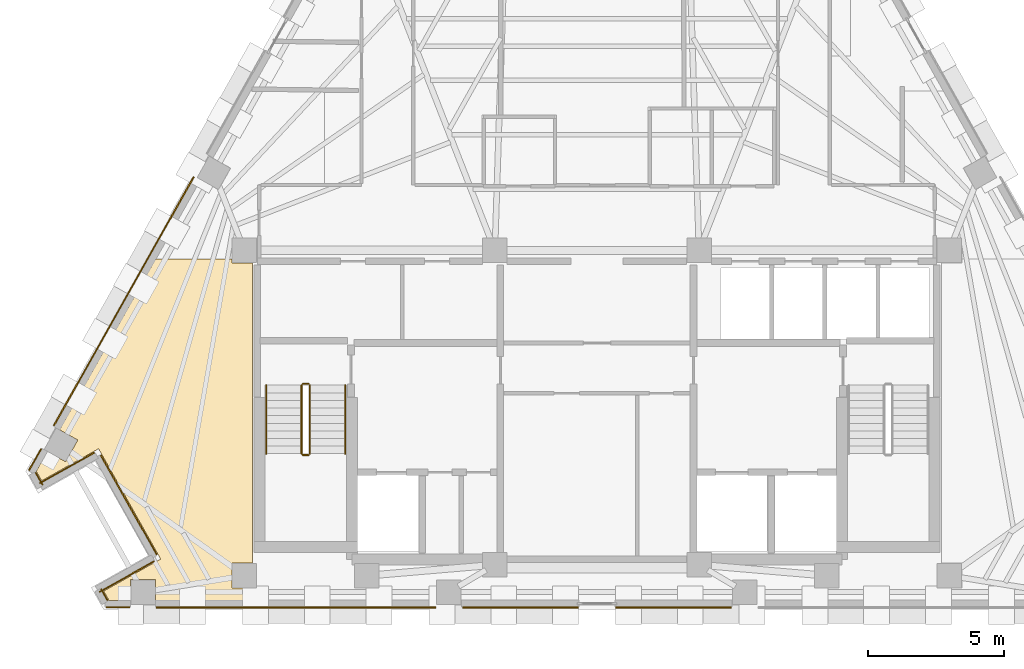
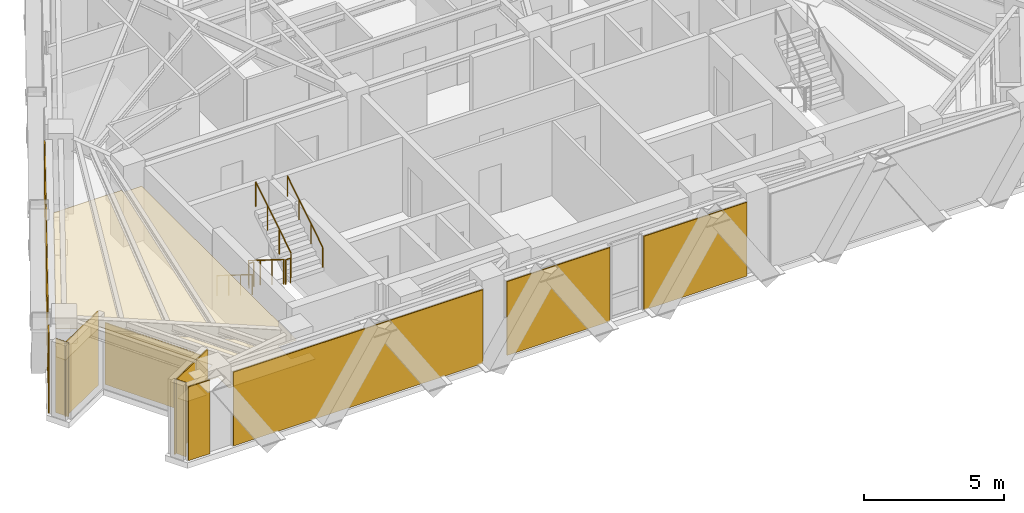
# One storey, part 10 of 12: 12 coverings, 6 railings.
"""IFC4 building model written with IfcOpenShell, lengths in metres."""

from ifc_helpers import new_model, si_unit, direction, frame, origin, origin_2d, place, context, subcontext, project, spatial, polyline, circle, outline, extrude, material, layer, layer_set, type_object, element, save


model = new_model("IFC4")

# Units and contexts
model_context = context("Model", 3, precision=1e-05, world=origin(), true_north=direction((0.0, 1.0)))
body_context = subcontext(model_context, "Body", "Model", "MODEL_VIEW")
ifc_project = project(units=[si_unit("LENGTHUNIT", "METRE"), si_unit("AREAUNIT", "SQUARE_METRE"), si_unit("VOLUMEUNIT", "CUBIC_METRE"), si_unit("PLANEANGLEUNIT", "RADIAN"), si_unit("MASSUNIT", "GRAM", prefix="KILO")], contexts=[model_context])

# Site, building, storey
site_placement = place(None, origin())
site = spatial("IfcSite", under=ifc_project, at=site_placement, CompositionType="ELEMENT")
building_placement = place(site_placement, origin())
building = spatial("IfcBuilding", under=site, at=building_placement, Name="Quenlor Broadcast Tower", CompositionType="ELEMENT")
storey_placement = place(building_placement, frame((0.0, 0.0, 197.39990234375)))
storey = spatial("IfcBuildingStorey", under=building, at=storey_placement, Name="L54", CompositionType="ELEMENT", Elevation=197.39990234375)

# Coverings
ifc_material_1 = material(Name="Acoustic Mineral Fibre Board", Category="other")
ifc_layer_1 = layer(ifc_material_1, 0.02490234375)
ifc_layer_set_1 = layer_set([ifc_layer_1], Name="Acoustic Perforated Mineral Tile Ceiling 25")
covering_type_1 = type_object("IfcCoveringType", Name="Acoustic Perforated Mineral Tile Ceiling 25", PredefinedType="CEILING", material=ifc_layer_set_1)
covering_1_placement = place(storey_placement, frame((0.0, 0.0, 2.375)))
element("IfcCovering", 1, at=covering_1_placement, inside=storey, type_object=covering_type_1, Name="L54 Acoustic Ceiling L54-30-2", PredefinedType="CEILING", context=body_context, shape_type="SweptSolid", body=[
    extrude(outline(polyline([(-13.407958984375, -5.258056640625), (-12.64990234375, -5.258056640625), (-12.64990234375, -16.2919921875), (-13.407958984375, -16.2919921875), (-13.407958984375, -17.2080078125), (-12.64990234375, -17.2080078125), (-12.64990234375, -17.659912109375), (-16.218017578125, -17.659912109375), (-16.218017578125, -16.89208984375), (-17.1337890625, -16.89208984375), (-17.1337890625, -17.659912109375), (-17.927001953125, -17.659912109375), (-18.120849609375, -17.315673828125), (-16.029052734375, -16.138916015625), (-18.30859375, -12.08642578125), (-20.400390625, -13.26318359375), (-20.597900390625, -12.912109375), (-20.191162109375, -12.18896484375), (-19.52197265625, -12.5654296875), (-19.07275390625, -11.76708984375), (-19.7421875, -11.390625), (-16.21484375, -5.1201171875), (-13.407958984375, -5.1201171875), (-13.407958984375, -5.258056640625)])), origin(), (0.0, 0.0, 1.0), 0.025146484375),
])
ifc_material_2 = material(Name="Architectural Terracotta Ceramic", Category="masonry")
ifc_layer_2 = layer(ifc_material_2, 0.044921875)
ifc_layer_set_2 = layer_set([ifc_layer_2], Name="Fluted Terracotta Rainscreen Cladding Panel")
covering_type_2 = type_object("IfcCoveringType", Name="Fluted Terracotta Rainscreen Cladding Panel", PredefinedType="CLADDING", material=ifc_layer_set_2)
covering_2_placement = place(storey_placement, frame((0.0, 0.0, 0.02001953125)))
element("IfcCovering", 2, at=covering_2_placement, inside=storey, type_object=covering_type_2, Name="L54 Terracotta Rainscreen Cladding L54-SHD-SS1", PredefinedType="CLADDING", context=body_context, shape_type="SweptSolid", body=[
    extrude(outline(polyline([(-17.160888671875, -17.886962890625), (-18.035888671875, -17.886962890625), (-18.035888671875, -17.931884765625), (-17.160888671875, -17.931884765625), (-17.160888671875, -17.886962890625)])), origin(), (0.0, 0.0, 1.0), 3.2099609375),
])
covering_3_placement = place(storey_placement, frame((0.0, 0.0, 0.02001953125)))
element("IfcCovering", 3, at=covering_3_placement, inside=storey, type_object=covering_type_2, Name="L54 Terracotta Rainscreen Cladding L54-EW-SC", PredefinedType="CLADDING", context=body_context, shape_type="SweptSolid", body=[
    extrude(outline(polyline([(-5.9228515625, -17.89697265625), (-16.19091796875, -17.89697265625), (-16.19091796875, -17.94189453125), (-5.9228515625, -17.94189453125), (-5.9228515625, -17.89697265625)])), origin(), (0.0, 0.0, 1.0), 3.2099609375),
])
covering_4_placement = place(storey_placement, frame((0.0, 0.0, 0.02001953125)))
element("IfcCovering", 4, at=covering_4_placement, inside=storey, type_object=covering_type_2, Name="L54 Terracotta Rainscreen Cladding L54-S-SP1", PredefinedType="CLADDING", context=body_context, shape_type="SweptSolid", body=[
    extrude(outline(polyline([(4.937744140625, -17.89697265625), (0.6923828125, -17.89697265625), (0.6923828125, -17.94189453125), (4.937744140625, -17.94189453125), (4.937744140625, -17.89697265625)])), origin(), (0.0, 0.0, 1.0), 3.2099609375),
])
covering_5_placement = place(storey_placement, frame((0.0, 0.0, 0.02001953125)))
element("IfcCovering", 5, at=covering_5_placement, inside=storey, type_object=covering_type_2, Name="L54 Terracotta Rainscreen Cladding L54-S-SP2", PredefinedType="CLADDING", context=body_context, shape_type="SweptSolid", body=[
    extrude(outline(polyline([(-0.6923828125, -17.89697265625), (-4.937744140625, -17.89697265625), (-4.937744140625, -17.94189453125), (-0.6923828125, -17.94189453125), (-0.6923828125, -17.89697265625)])), origin(), (0.0, 0.0, 1.0), 3.2099609375),
])
covering_6_placement = place(storey_placement, frame((0.0, 0.0, 0.02001953125)))
element("IfcCovering", 6, at=covering_6_placement, inside=storey, type_object=covering_type_2, Name="L54 Terracotta Rainscreen Cladding L54-SHD-NWS0", PredefinedType="CLADDING", context=body_context, shape_type="SweptSolid", body=[
    extrude(outline(polyline([(-20.845458984375, -12.888916015625), (-20.402099609375, -12.10107421875), (-20.44140625, -12.0791015625), (-20.884521484375, -12.866943359375), (-20.845458984375, -12.888916015625)])), origin(), (0.0, 0.0, 1.0), 3.2099609375),
])
covering_7_placement = place(storey_placement, frame((0.0, 0.0, 0.02001953125)))
element("IfcCovering", 7, at=covering_7_placement, inside=storey, type_object=covering_type_2, Name="L54 Terracotta Rainscreen Cladding L54-EW-NWA", PredefinedType="CLADDING", context=body_context, shape_type="SweptSolid", body=[
    extrude(outline(polyline([(-19.935302734375, -11.250732421875), (-14.7919921875, -2.106689453125), (-14.831298828125, -2.084716796875), (-19.974609375, -11.228759765625), (-19.935302734375, -11.250732421875)])), origin(), (0.0, 0.0, 1.0), 3.2099609375),
])
covering_8_placement = place(storey_placement, frame((0.0, 0.0, 0.02001953125)))
element("IfcCovering", 8, at=covering_8_placement, inside=storey, type_object=covering_type_2, Name="L54 Terracotta Rainscreen Cladding L54-CNR-12", PredefinedType="CLADDING", context=body_context, shape_type="SweptSolid", body=[
    extrude(outline(polyline([(-20.64306640625, -12.970458984375), (-20.38623046875, -13.427001953125), (-20.346923828125, -13.405029296875), (-20.60400390625, -12.948486328125), (-20.64306640625, -12.970458984375)])), origin(), (0.0, 0.0, 1.0), 3.2099609375),
])
covering_9_placement = place(storey_placement, frame((0.0, 0.0, 0.02001953125)))
element("IfcCovering", 9, at=covering_9_placement, inside=storey, type_object=covering_type_2, Name="L54 Terracotta Rainscreen Cladding L54-CNR-13", PredefinedType="CLADDING", context=body_context, shape_type="SweptSolid", body=[
    extrude(outline(polyline([(-20.462890625, -13.376220703125), (-18.45849609375, -12.248779296875), (-18.48046875, -12.20947265625), (-20.485107421875, -13.337158203125), (-20.462890625, -13.376220703125)])), origin(), (0.0, 0.0, 1.0), 3.2099609375),
])
covering_10_placement = place(storey_placement, frame((0.0, 0.0, 0.02001953125)))
element("IfcCovering", 10, at=covering_10_placement, inside=storey, type_object=covering_type_2, Name="L54 Terracotta Rainscreen Cladding L54-CNR-14", PredefinedType="CLADDING", context=body_context, shape_type="SweptSolid", body=[
    extrude(outline(polyline([(-18.245361328125, -12.337646484375), (-16.19140625, -15.9892578125), (-16.152099609375, -15.96728515625), (-18.206298828125, -12.315673828125), (-18.245361328125, -12.337646484375)])), origin(), (0.0, 0.0, 1.0), 2.681884765625),
])
covering_11_placement = place(storey_placement, frame((0.0, 0.0, 0.02001953125)))
element("IfcCovering", 11, at=covering_11_placement, inside=storey, type_object=covering_type_2, Name="L54 Terracotta Rainscreen Cladding L54-CNR-15", PredefinedType="CLADDING", context=body_context, shape_type="SweptSolid", body=[
    extrude(outline(polyline([(-16.2802734375, -16.2021484375), (-18.284912109375, -17.329833984375), (-18.262939453125, -17.368896484375), (-16.25830078125, -16.241455078125), (-16.2802734375, -16.2021484375)])), origin(), (0.0, 0.0, 1.0), 3.2099609375),
])
covering_12_placement = place(storey_placement, frame((0.0, 0.0, 0.02001953125)))
element("IfcCovering", 12, at=covering_12_placement, inside=storey, type_object=covering_type_2, Name="L54 Terracotta Rainscreen Cladding L54-CNR-16", PredefinedType="CLADDING", context=body_context, shape_type="SweptSolid", body=[
    extrude(outline(polyline([(-18.234130859375, -17.2529296875), (-17.99853515625, -17.671875), (-17.959228515625, -17.64990234375), (-18.19482421875, -17.23095703125), (-18.234130859375, -17.2529296875)])), origin(), (0.0, 0.0, 1.0), 3.2099609375),
])

# Railings
ifc_material_3 = material(Name="Anodised Aluminium", Category="aluminium")
railing_type_1 = type_object("IfcRailingType", Name="Stainless Aluminium Wall Handrail 900", PredefinedType="HANDRAIL", material=ifc_material_3)
railing_1_placement = place(storey_placement, frame((-12.14990234375, -9.75, 0.175048828125)))
element("IfcRailing", 13, at=railing_1_placement, inside=storey, type_object=railing_type_1, Name="L54 ST-1 stair handrail 1", PredefinedType="HANDRAIL", context=body_context, shape_type="SweptSolid", body=[
    extrude(circle(Radius=0.02392578125, at=origin_2d()), frame((0.0, 0.0, 0.8759765625), z_axis=(0.0, -0.848007534815, 0.529984170421), x_axis=(1.0, 0.0, 0.0)), (0.0, 0.0, 1.0), 2.9716796875),
    extrude(circle(Radius=0.02099609375, at=origin_2d()), origin(), (0.0, 0.0, 1.0), 0.851806640625),
    extrude(circle(Radius=0.02099609375, at=origin_2d()), frame((0.0, -0.840087890625, 0.52490234375)), (0.0, 0.0, 1.0), 0.851806640625),
    extrude(circle(Radius=0.02099609375, at=origin_2d()), frame((0.0, -1.679931640625, 1.050048828125)), (0.0, 0.0, 1.0), 0.851806640625),
    extrude(circle(Radius=0.02099609375, at=origin_2d()), frame((0.0, -2.52001953125, 1.574951171875)), (0.0, 0.0, 1.0), 0.851806640625),
])
railing_2_placement = place(storey_placement, frame((-9.25, -12.27001953125, 1.925048828125)))
element("IfcRailing", 14, at=railing_2_placement, inside=storey, type_object=railing_type_1, Name="L54 ST-1 stair handrail 2", PredefinedType="HANDRAIL", context=body_context, shape_type="SweptSolid", body=[
    extrude(circle(Radius=0.02392578125, at=origin_2d()), frame((0.0, 0.0, 0.8759765625), z_axis=(0.0, 0.848007534815, 0.529984170421), x_axis=(-1.0, 0.0, 0.0)), (0.0, 0.0, 1.0), 2.9716796875),
    extrude(circle(Radius=0.02099609375, at=origin_2d()), origin(), (0.0, 0.0, 1.0), 0.851806640625),
    extrude(circle(Radius=0.02099609375, at=origin_2d()), frame((0.0, 0.840087890625, 0.52490234375)), (0.0, 0.0, 1.0), 0.851806640625),
    extrude(circle(Radius=0.02099609375, at=origin_2d()), frame((0.0, 1.679931640625, 1.050048828125)), (0.0, 0.0, 1.0), 0.851806640625),
    extrude(circle(Radius=0.02099609375, at=origin_2d()), frame((0.0, 2.52001953125, 1.574951171875)), (0.0, 0.0, 1.0), 0.851806640625),
])
ifc_material_4 = material(Name="Steel S355", Category="steel")
railing_type_2 = type_object("IfcRailingType", Name="Tubular Steel S355 Stair Guardrail 1100", PredefinedType="BALUSTRADE", material=ifc_material_4)
railing_3_placement = place(storey_placement, frame((-10.85009765625, -9.75, 0.175048828125)))
element("IfcRailing", 15, at=railing_3_placement, inside=storey, type_object=railing_type_2, Name="L54 ST-1 stair guard 1", PredefinedType="BALUSTRADE", context=body_context, shape_type="SweptSolid", body=[
    extrude(circle(Radius=0.02392578125, at=origin_2d()), frame((0.0, 0.0, 1.076171875), z_axis=(0.0, -0.848007534815, 0.529984170421), x_axis=(1.0, 0.0, 0.0)), (0.0, 0.0, 1.0), 2.9716796875),
    extrude(circle(Radius=0.02099609375, at=origin_2d()), origin(), (0.0, 0.0, 1.0), 1.052001953125),
    extrude(circle(Radius=0.02099609375, at=origin_2d()), frame((0.0, -0.840087890625, 0.52490234375)), (0.0, 0.0, 1.0), 1.052001953125),
    extrude(circle(Radius=0.02099609375, at=origin_2d()), frame((0.0, -1.679931640625, 1.050048828125)), (0.0, 0.0, 1.0), 1.052001953125),
    extrude(circle(Radius=0.02099609375, at=origin_2d()), frame((0.0, -2.52001953125, 1.574951171875)), (0.0, 0.0, 1.0), 1.052001953125),
])
railing_4_placement = place(storey_placement, frame((-10.800048828125, -12.320068359375, 1.75)))
element("IfcRailing", 16, at=railing_4_placement, inside=storey, type_object=railing_type_2, Name="L54 ST-1 stair guard 2", PredefinedType="BALUSTRADE", context=body_context, shape_type="SweptSolid", body=[
    extrude(circle(Radius=0.02392578125, at=origin_2d()), frame((0.0, 0.0, 1.076171875), z_axis=(1.0, 0.0, 0.0), x_axis=(0.0, 1.0, 0.0)), (0.0, 0.0, 1.0), 0.199951171875),
    extrude(circle(Radius=0.02099609375, at=origin_2d()), origin(), (0.0, 0.0, 1.0), 1.052001953125),
    extrude(circle(Radius=0.02099609375, at=origin_2d()), frame((0.199951171875, 0.0, 0.0)), (0.0, 0.0, 1.0), 1.052001953125),
])
railing_5_placement = place(storey_placement, frame((-10.550048828125, -12.27001953125, 1.925048828125)))
element("IfcRailing", 17, at=railing_5_placement, inside=storey, type_object=railing_type_2, Name="L54 ST-1 stair guard 3", PredefinedType="BALUSTRADE", context=body_context, shape_type="SweptSolid", body=[
    extrude(circle(Radius=0.02392578125, at=origin_2d()), frame((0.0, 0.0, 1.076171875), z_axis=(0.0, 0.848007534815, 0.529984170421), x_axis=(-1.0, 0.0, 0.0)), (0.0, 0.0, 1.0), 2.9716796875),
    extrude(circle(Radius=0.02099609375, at=origin_2d()), origin(), (0.0, 0.0, 1.0), 1.052001953125),
    extrude(circle(Radius=0.02099609375, at=origin_2d()), frame((0.0, 0.840087890625, 0.52490234375)), (0.0, 0.0, 1.0), 1.052001953125),
    extrude(circle(Radius=0.02099609375, at=origin_2d()), frame((0.0, 1.679931640625, 1.050048828125)), (0.0, 0.0, 1.0), 1.052001953125),
    extrude(circle(Radius=0.02099609375, at=origin_2d()), frame((0.0, 2.52001953125, 1.574951171875)), (0.0, 0.0, 1.0), 1.052001953125),
])
railing_6_placement = place(storey_placement, frame((-10.800048828125, -9.699951171875, 0.0)))
element("IfcRailing", 18, at=railing_6_placement, inside=storey, type_object=railing_type_2, Name="L54 ST-1 stair guard 4", PredefinedType="BALUSTRADE", context=body_context, shape_type="SweptSolid", body=[
    extrude(circle(Radius=0.02392578125, at=origin_2d()), frame((0.0, 0.0, 1.076171875), z_axis=(1.0, 0.0, 0.0), x_axis=(0.0, 1.0, 0.0)), (0.0, 0.0, 1.0), 0.199951171875),
    extrude(circle(Radius=0.02099609375, at=origin_2d()), origin(), (0.0, 0.0, 1.0), 1.052001953125),
    extrude(circle(Radius=0.02099609375, at=origin_2d()), frame((0.199951171875, 0.0, 0.0)), (0.0, 0.0, 1.0), 1.052001953125),
])

save(model, "model.ifc")
